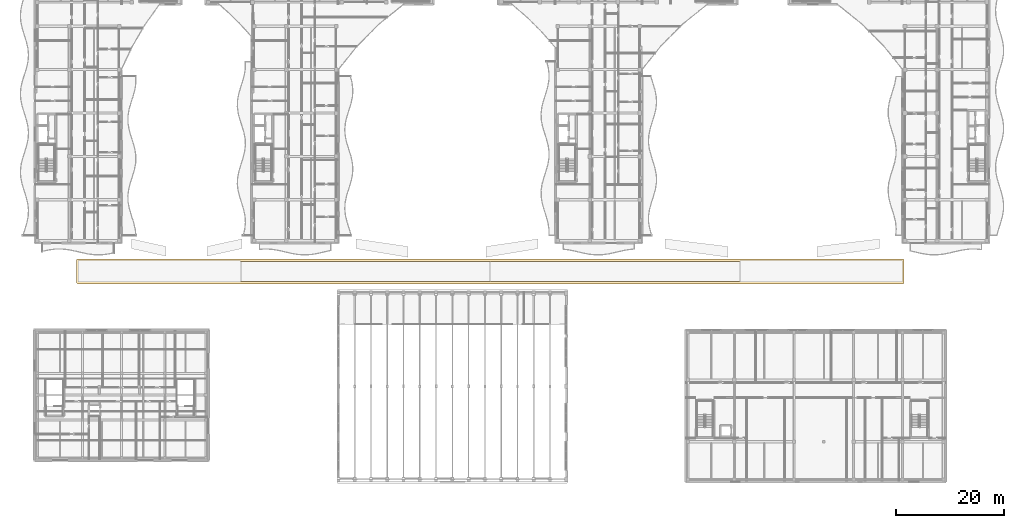
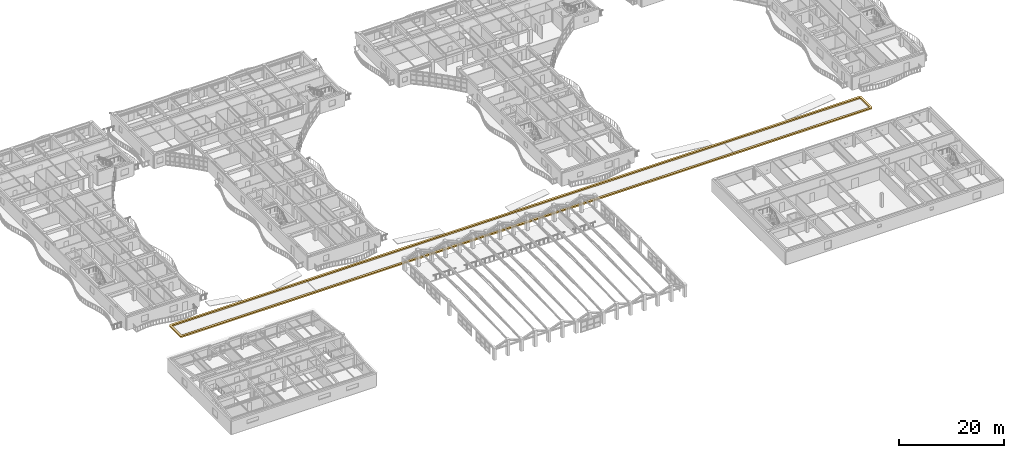
# One storey, part 109 of 128: 1 covering.
"""IFC4 building model written with IfcOpenShell, lengths in metres."""

from ifc_helpers import new_model, si_unit, direction, frame, origin, place, context, subcontext, project, spatial, polyline, outline, extrude, material, layer, layer_set, type_object, element, save


model = new_model("IFC4")

# Units and contexts
model_context = context("Model", 3, precision=1e-05, world=origin(), true_north=direction((0.0, 1.0)))
body_context = subcontext(model_context, "Body", "Model", "MODEL_VIEW")
ifc_project = project(units=[si_unit("LENGTHUNIT", "METRE"), si_unit("AREAUNIT", "SQUARE_METRE"), si_unit("VOLUMEUNIT", "CUBIC_METRE"), si_unit("PLANEANGLEUNIT", "RADIAN"), si_unit("MASSUNIT", "GRAM", prefix="KILO")], contexts=[model_context])

# Site, building, storey
site_placement = place(None, origin())
site = spatial("IfcSite", under=ifc_project, at=site_placement, CompositionType="ELEMENT")
building_placement = place(site_placement, origin())
building = spatial("IfcBuilding", under=site, at=building_placement, Name="Keldmere Railside Commons", CompositionType="ELEMENT")
storey_placement = place(building_placement, frame((0.0, 0.0, 4.159912109375)))
storey = spatial("IfcBuildingStorey", under=building, at=storey_placement, Name="L01", CompositionType="ELEMENT", Elevation=4.159912109375)

# Covering
ifc_material = material(Name="White Precast Concrete C35/45", Category="concrete")
ifc_layer = layer(ifc_material, 0.280029296875, Name="Postmodern Stepped Precast Cornice Band 280")
ifc_layer_set = layer_set([ifc_layer], Name="White Precast Concrete C35/45")
covering_type = type_object("IfcCoveringType", Name="Postmodern Stepped Precast Cornice Band 280", PredefinedType="CLADDING", material=ifc_layer_set)
covering_placement = place(storey_placement, origin())
element("IfcCovering", 1, at=covering_placement, inside=storey, type_object=covering_type, Name="CRN-1 Postmodern Entablature CRN-COL", PredefinedType="CLADDING", context=body_context, shape_type="SweptSolid", body=[
    extrude(outline(polyline([(16.0, 48.5), (15.970703125, 48.50146484375), (15.94140625, 48.505859375), (15.912841796875, 48.512939453125), (15.88525390625, 48.522705078125), (15.858642578125, 48.535400390625), (15.833251953125, 48.550537109375), (15.809814453125, 48.568115234375), (15.787841796875, 48.587890625), (15.76806640625, 48.609619140625), (15.75048828125, 48.63330078125), (15.7353515625, 48.65869140625), (15.722900390625, 48.685302734375), (15.712890625, 48.712890625), (15.705810546875, 48.741455078125), (15.701416015625, 48.7705078125), (15.699951171875, 48.800048828125), (15.699951171875, 52.800048828125), (15.701416015625, 52.829345703125), (15.705810546875, 52.8583984375), (15.712890625, 52.88720703125), (15.722900390625, 52.914794921875), (15.7353515625, 52.94140625), (15.75048828125, 52.966796875), (15.76806640625, 52.990234375), (15.787841796875, 53.01220703125), (15.809814453125, 53.031982421875), (15.833251953125, 53.04931640625), (15.858642578125, 53.064697265625), (15.88525390625, 53.0771484375), (15.912841796875, 53.087158203125), (15.94140625, 53.09423828125), (15.970703125, 53.0986328125), (16.0, 53.10009765625), (168.0, 53.10009765625), (168.029296875, 53.0986328125), (168.05859375, 53.09423828125), (168.087158203125, 53.087158203125), (168.11474609375, 53.0771484375), (168.141357421875, 53.064697265625), (168.166748046875, 53.04931640625), (168.190185546875, 53.031982421875), (168.212158203125, 53.01220703125), (168.23193359375, 52.990234375), (168.24951171875, 52.966796875), (168.2646484375, 52.94140625), (168.277099609375, 52.914794921875), (168.287109375, 52.88720703125), (168.294189453125, 52.8583984375), (168.298583984375, 52.829345703125), (168.300048828125, 52.800048828125), (168.300048828125, 48.800048828125), (168.298583984375, 48.7705078125), (168.294189453125, 48.741455078125), (168.287109375, 48.712890625), (168.277099609375, 48.685302734375), (168.2646484375, 48.65869140625), (168.24951171875, 48.63330078125), (168.23193359375, 48.609619140625), (168.212158203125, 48.587890625), (168.190185546875, 48.568115234375), (168.166748046875, 48.550537109375), (168.141357421875, 48.535400390625), (168.11474609375, 48.522705078125), (168.087158203125, 48.512939453125), (168.05859375, 48.505859375), (168.029296875, 48.50146484375), (168.0, 48.5), (16.0, 48.5)]), holes=[polyline([(167.85009765625, 48.949951171875), (16.14990234375, 48.949951171875), (16.14990234375, 52.64990234375), (167.85009765625, 52.64990234375), (167.85009765625, 48.949951171875)])]), origin(), (0.0, 0.0, 1.0), 0.320068359375),
])

save(model, "model.ifc")
